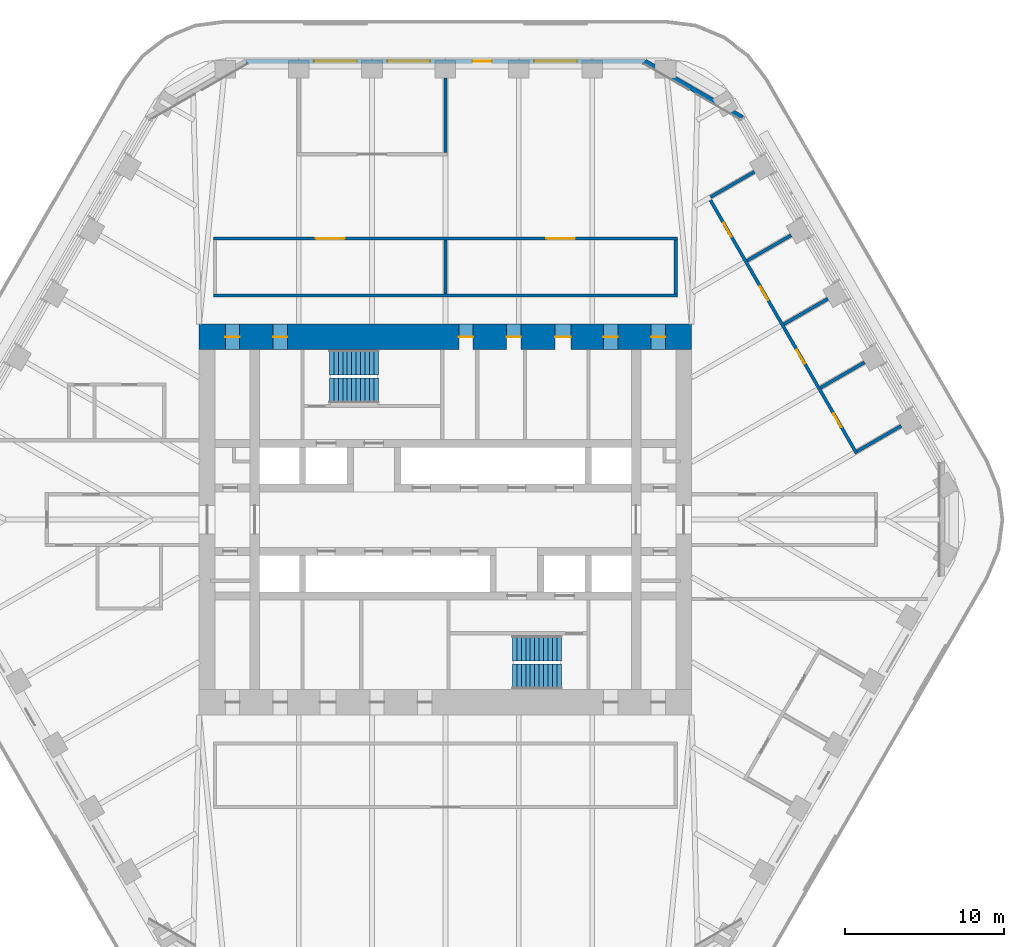
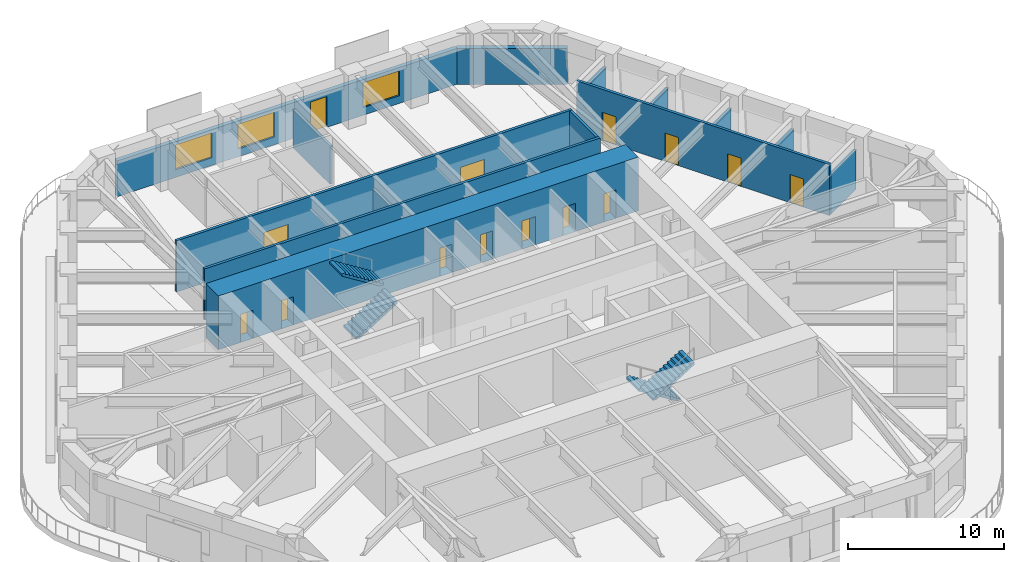
# One storey, part 17 of 20: 14 doors, 14 walls, 4 stair flights, 3 windows, 17 openings, 2 elements without a shape of their own.
"""IFC4 building model written with IfcOpenShell, lengths in metres."""

import ifcopenshell
import ifcopenshell.guid

model = None  # the IFC model being written
_history = None  # IfcOwnerHistory: only IFC2X3 demands one
_inside = {}  # id of a spatial element -> (the spatial element, [elements in it])
_under = {}  # id of a project, library or spatial element -> (it, [spatial elements below it])
_declared = {}  # id of a project -> (the project, [libraries it declares])
_typed = {}  # id of a type object -> (the type object, [elements of that type])
_made_of = {}  # id of a material, layer set ... -> (it, [elements and type objects made of it])


def new_model(schema):
    """Start an empty IFC model of exactly this schema.

    Asked for "IFC4X3", IfcOpenShell would pick the latest addendum, in which some entities
    have other attributes; the version numbers below select the first issue.
    IFC2X3 requires an IfcOwnerHistory on every rooted entity: one is made here for all.
    """
    global model, _history
    if schema == "IFC4X3":
        model = ifcopenshell.file(schema_version=(4, 3, 0, 0))
    else:
        model = ifcopenshell.file(schema=schema)
    _inside.clear()
    _under.clear()
    _declared.clear()
    _typed.clear()
    _made_of.clear()
    _history = None
    if model.schema == "IFC2X3":
        org = make("IfcOrganization", Name="unknown")
        user = make(
            "IfcPersonAndOrganization",
            ThePerson=make("IfcPerson", FamilyName="unknown"),
            TheOrganization=org,
        )
        app = make(
            "IfcApplication",
            ApplicationDeveloper=org,
            Version="unknown",
            ApplicationFullName="unknown",
            ApplicationIdentifier="unknown",
        )
        _history = make(
            "IfcOwnerHistory",
            OwningUser=user,
            OwningApplication=app,
            ChangeAction="ADDED",
            CreationDate=0,
        )
    return model


def make(cls, **values):
    """One entity of the class cls with the attributes given. An attribute that is None is left unset."""
    return model.create_entity(
        cls, **{name: value for name, value in values.items() if value is not None}
    )


def rooted(cls, **values):
    """An entity with a GlobalId (a new one), such as an element, a storey or a relation."""
    return make(cls, GlobalId=ifcopenshell.guid.new(), OwnerHistory=_history, **values)


def si_unit(unit_type, name, prefix=None):
    """IfcSIUnit, for example si_unit("LENGTHUNIT", "METRE", prefix="MILLI")."""
    return make("IfcSIUnit", UnitType=unit_type, Prefix=prefix, Name=name)


def assignment(units):
    """IfcUnitAssignment: the units of a project."""
    return None if units is None else make("IfcUnitAssignment", Units=units)


def point(xyz):
    """IfcCartesianPoint."""
    return None if xyz is None else make("IfcCartesianPoint", Coordinates=xyz)


def direction(xyz):
    """IfcDirection."""
    return None if xyz is None else make("IfcDirection", DirectionRatios=xyz)


def frame(location, z_axis=None, x_axis=None):
    """IfcAxis2Placement3D, a coordinate frame: its origin and axes. An axis left out is left unset."""
    return make(
        "IfcAxis2Placement3D",
        Location=point(location),
        Axis=direction(z_axis),
        RefDirection=direction(x_axis),
    )


def frame_2d(location, x_axis=None):
    """IfcAxis2Placement2D, a coordinate frame in the plane: its origin and x axis."""
    return make(
        "IfcAxis2Placement2D", Location=point(location), RefDirection=direction(x_axis)
    )


def origin():
    """The frame at (0, 0, 0) with its axes left unset."""
    return frame((0.0, 0.0, 0.0))


def place(relative_to, where):
    """IfcLocalPlacement: puts the frame where relative to a parent placement (None: the world)."""
    return make(
        "IfcLocalPlacement", PlacementRelTo=relative_to, RelativePlacement=where
    )


def context(
    kind, dimensions, precision=None, world=None, true_north=None, identifier=None
):
    """IfcGeometricRepresentationContext, for example the 3D "Model" context."""
    return make(
        "IfcGeometricRepresentationContext",
        ContextIdentifier=identifier,
        ContextType=kind,
        CoordinateSpaceDimension=dimensions,
        Precision=precision,
        WorldCoordinateSystem=world,
        TrueNorth=true_north,
    )


def subcontext(parent, identifier, kind, view, scale=None):
    """IfcGeometricRepresentationSubContext, for example "Body" below "Model"."""
    return make(
        "IfcGeometricRepresentationSubContext",
        ContextIdentifier=identifier,
        ContextType=kind,
        ParentContext=parent,
        TargetScale=scale,
        TargetView=view,
    )


def project(units=None, contexts=None):
    """IfcProject with its units and contexts."""
    return rooted(
        "IfcProject",
        Name="project",
        RepresentationContexts=contexts,
        UnitsInContext=assignment(units),
    )


def spatial(cls, under=None, at=None, **own):
    """A site, building, storey or space (cls), placed at a placement, below another one or the project."""
    s = rooted(cls, ObjectPlacement=at, **own)
    if under is not None:
        _under.setdefault(under.id(), (under, []))[1].append(s)
    return s


def polyline(points):
    """IfcPolyline through the points."""
    return make("IfcPolyline", Points=[point(p) for p in points])


def profile(cls, at=None, kind="AREA", **sizes):
    """A parametric profile (cls). Its sizes go by their IFC names, for example OverallWidth=200.0."""
    return make(cls, ProfileType=kind, Position=at, **sizes)


def rectangle(**sizes):
    """IfcRectangleProfileDef."""
    return profile("IfcRectangleProfileDef", **sizes)


def outline(outer, holes=None, kind="AREA"):
    """IfcArbitraryClosedProfileDef: a profile drawn as a closed curve; with holes, ...WithVoids."""
    if holes is None:
        return make("IfcArbitraryClosedProfileDef", ProfileType=kind, OuterCurve=outer)
    return make(
        "IfcArbitraryProfileDefWithVoids",
        ProfileType=kind,
        OuterCurve=outer,
        InnerCurves=holes,
    )


def extrude(swept, where, along, depth):
    """IfcExtrudedAreaSolid: the profile swept, set in the frame where, extruded along a direction by depth."""
    return make(
        "IfcExtrudedAreaSolid",
        SweptArea=swept,
        Position=where,
        ExtrudedDirection=direction(along),
        Depth=depth,
    )


def shape(context_of_items, identifier, shape_type, items):
    """IfcShapeRepresentation: the items that make up one representation, for example the "Body"."""
    return make(
        "IfcShapeRepresentation",
        ContextOfItems=context_of_items,
        RepresentationIdentifier=identifier,
        RepresentationType=shape_type,
        Items=items,
    )


def material(Name=None, Category=None):
    """IfcMaterial."""
    return make("IfcMaterial", Name=Name, Category=Category)


def layer(
    of_material, thickness, ventilated=None, Name=None, Category=None, Priority=None
):
    """IfcMaterialLayer: one layer of a wall or slab, of a material (None: an air gap)."""
    return make(
        "IfcMaterialLayer",
        Material=of_material,
        LayerThickness=thickness,
        IsVentilated=ventilated,
        Name=Name,
        Category=Category,
        Priority=Priority,
    )


def layer_set(layers, Name=None):
    """IfcMaterialLayerSet."""
    return make("IfcMaterialLayerSet", MaterialLayers=layers, LayerSetName=Name)


def made_of(thing, what):
    """Note that an element or type object is made of a material, layer set ...; save() writes the relation."""
    if what is not None:
        _made_of.setdefault(what.id(), (what, []))[1].append(thing)
    return thing


def type_object(cls, material=None, **own):
    """A type object (cls), such as IfcWallType, which elements share."""
    return made_of(rooted(cls, **own), material)


def element(
    cls,
    number,
    at=None,
    inside=None,
    cuts=None,
    type_object=None,
    material=None,
    context=None,
    identifier="Body",
    shape_type=None,
    held_by="IfcProductDefinitionShape",
    body=None,
    shapes=None,
    **own,
):
    """One element of the class cls, such as IfcWall. Its Tag is "e" and its number.

    at: its placement. inside: the storey or other place that contains it. cuts: it is an
    opening in that element (IfcRelVoidsElement). A single representation is given by context,
    identifier, shape_type and body (its items); several are given by shapes. held_by: the class
    of the entity that holds the representations. save() writes the other relations.
    """
    e = rooted(cls, Tag="e%d" % number, ObjectPlacement=at, **own)
    if body is not None:
        shapes = [shape(context, identifier, shape_type, body)]
    if shapes is not None:
        e.Representation = make(held_by, Representations=shapes)
    if inside is not None:
        _inside.setdefault(inside.id(), (inside, []))[1].append(e)
    if cuts is not None:
        rooted(
            "IfcRelVoidsElement", RelatingBuildingElement=cuts, RelatedOpeningElement=e
        )
    if type_object is not None:
        _typed.setdefault(type_object.id(), (type_object, []))[1].append(e)
    return made_of(e, material)


def fill(opening, filler):
    """IfcRelFillsElement: the door or window that sits in an opening."""
    return rooted(
        "IfcRelFillsElement",
        RelatingOpeningElement=opening,
        RelatedBuildingElement=filler,
    )


def aggregate(whole, parts):
    """IfcRelAggregates: a whole, such as a stair, and the parts it consists of."""
    return rooted("IfcRelAggregates", RelatingObject=whole, RelatedObjects=parts)


def save(model, path):
    """Write the relations noted so far, then the file.

    IfcRelAggregates (storeys below a building ...), IfcRelContainedInSpatialStructure (elements
    in a storey), IfcRelDefinesByType, IfcRelAssociatesMaterial and IfcRelDeclares: one each for
    every whole, place, type object, material and project.
    """
    for whole, parts in _under.values():
        aggregate(whole, parts)
    for where, things in _inside.values():
        rooted(
            "IfcRelContainedInSpatialStructure",
            RelatedElements=things,
            RelatingStructure=where,
        )
    for kind, things in _typed.values():
        rooted("IfcRelDefinesByType", RelatedObjects=things, RelatingType=kind)
    for what, things in _made_of.values():
        rooted("IfcRelAssociatesMaterial", RelatedObjects=things, RelatingMaterial=what)
    for by, libraries in _declared.values():
        rooted("IfcRelDeclares", RelatingContext=by, RelatedDefinitions=libraries)
    model.write(path)


model = new_model("IFC4")

# Units and contexts
model_context = context("Model", 3, precision=1e-05, world=origin(), true_north=direction((0.0, 1.0)))
body_context = subcontext(model_context, "Body", "Model", "MODEL_VIEW")
ifc_project = project(units=[si_unit("LENGTHUNIT", "METRE"), si_unit("AREAUNIT", "SQUARE_METRE"), si_unit("VOLUMEUNIT", "CUBIC_METRE"), si_unit("PLANEANGLEUNIT", "RADIAN"), si_unit("MASSUNIT", "GRAM", prefix="KILO")], contexts=[model_context])

# Site, building, storey
site_placement = place(None, origin())
site = spatial("IfcSite", under=ifc_project, at=site_placement, CompositionType="ELEMENT")
building_placement = place(site_placement, origin())
building = spatial("IfcBuilding", under=site, at=building_placement, Name="Tarfa Lantern Tower", CompositionType="ELEMENT")
storey_placement = place(building_placement, frame((0.0, 0.0, 240.699951171875)))
storey = spatial("IfcBuildingStorey", under=building, at=storey_placement, Name="L54", CompositionType="ELEMENT", Elevation=240.699951171875)

# Wall
ifc_material_1 = material(Name="Limestone cladding on blockwork", Category="masonry")
ifc_layer_1 = layer(ifc_material_1, 0.300048828125)
ifc_layer_set_1 = layer_set([ifc_layer_1], Name="EW1 STONE-CLAD WALL 300")
wall_type_1 = type_object("IfcWallType", Name="EW1 STONE-CLAD WALL 300", PredefinedType="SOLIDWALL", material=ifc_layer_set_1)
wall_1_placement = place(storey_placement, frame((18.70654296875, 25.299072265625, 0.0), z_axis=(0.0, 0.0, 1.0), x_axis=(-0.866010973379, 0.500024993363, 0.0)))
element("IfcWall", 1, at=wall_1_placement, inside=storey, type_object=wall_type_1, Name="Garden wall NE-N", PredefinedType="SOLIDWALL", context=body_context, shape_type="SweptSolid", body=[
    extrude(rectangle(XDim=7.101806640625, YDim=0.300048828125, at=frame_2d((3.55078125, 0.0))), origin(), (0.0, 0.0, 1.0), 2.800048828125),
])

# Wall, openings, door, windows
wall_2_placement = place(storey_placement, frame((12.556396484375, 28.85009765625, 0.0), z_axis=(0.0, 0.0, 1.0), x_axis=(-1.0, 0.0, 0.0)))
wall_2 = element("IfcWall", 2, at=wall_2_placement, inside=storey, type_object=wall_type_1, Name="Stone wall N", PredefinedType="SOLIDWALL", context=body_context, shape_type="SweptSolid", body=[
    extrude(rectangle(XDim=25.11279296875, YDim=0.300048828125, at=frame_2d((12.556396484375, 0.0))), origin(), (0.0, 0.0, 1.0), 2.800048828125),
])
opening_1_placement = place(wall_2_placement, frame((4.2783203125, 0.0, 0.60009765625)))
opening_1 = element("IfcOpeningElement", 3, at=opening_1_placement, cuts=wall_2, Name="Opening W14", PredefinedType="OPENING", context=body_context, shape_type="SweptSolid", body=[
    extrude(rectangle(XDim=2.699951171875, YDim=1.949951171875, at=frame_2d((1.35009765625, 0.97509765625))), frame((0.0, 0.159912109375, 0.0), z_axis=(0.0, -1.0, 0.0), x_axis=(1.0, 0.0, 0.0)), (0.0, 0.0, 1.0), 0.320068359375),
])
opening_2_placement = place(wall_2_placement, frame((9.64697265625, 0.0, 0.0)))
opening_2 = element("IfcOpeningElement", 4, at=opening_2_placement, cuts=wall_2, Name="Opening D47", PredefinedType="OPENING", context=body_context, shape_type="SweptSolid", body=[
    extrude(rectangle(XDim=1.199951171875, YDim=2.39990234375, at=frame_2d((0.60009765625, 1.199951171875))), frame((0.0, 0.159912109375, 0.0), z_axis=(0.0, -1.0, 0.0), x_axis=(1.0, 0.0, 0.0)), (0.0, 0.0, 1.0), 0.320068359375),
])
opening_3_placement = place(wall_2_placement, frame((13.515869140625, 0.0, 0.60009765625)))
opening_3 = element("IfcOpeningElement", 5, at=opening_3_placement, cuts=wall_2, Name="Opening W14", PredefinedType="OPENING", context=body_context, shape_type="SweptSolid", body=[
    extrude(rectangle(XDim=2.699951171875, YDim=1.949951171875, at=frame_2d((1.35009765625, 0.97509765625))), frame((0.0, 0.159912109375, 0.0), z_axis=(0.0, -1.0, 0.0), x_axis=(1.0, 0.0, 0.0)), (0.0, 0.0, 1.0), 0.320068359375),
])
opening_4_placement = place(wall_2_placement, frame((18.134521484375, 0.0, 0.60009765625)))
opening_4 = element("IfcOpeningElement", 6, at=opening_4_placement, cuts=wall_2, Name="Opening W14", PredefinedType="OPENING", context=body_context, shape_type="SweptSolid", body=[
    extrude(rectangle(XDim=2.699951171875, YDim=1.949951171875, at=frame_2d((1.35009765625, 0.97509765625))), frame((0.0, 0.159912109375, 0.0), z_axis=(0.0, -1.0, 0.0), x_axis=(1.0, 0.0, 0.0)), (0.0, 0.0, 1.0), 0.320068359375),
])
ifc_material_2 = material(Name="Aluminium framed glazed door", Category="aluminium")
door_type_1 = type_object("IfcDoorType", Name="BE3 BALCONY DOOR 1200x2400", OperationType="SINGLE_SWING_RIGHT", PredefinedType="DOOR", material=ifc_material_2)
door_1_placement = place(opening_2_placement, origin())
door_1 = element("IfcDoor", 7, at=door_1_placement, inside=storey, type_object=door_type_1, Name="Balcony door N", OperationType="SINGLE_SWING_LEFT", OverallHeight=2.39990234375, OverallWidth=1.199951171875, PredefinedType="DOOR", context=body_context, shape_type="SweptSolid", body=[
    extrude(rectangle(XDim=1.199951171875, YDim=2.39990234375, at=frame_2d((0.60009765625, 1.199951171875))), frame((0.0, 0.02490234375, 0.0), z_axis=(0.0, -1.0, 0.0), x_axis=(1.0, 0.0, 0.0)), (0.0, 0.0, 1.0), 0.050048828125),
])
fill(opening_2, door_1)
ifc_material_3 = material(Name="Aluminium frame, double glazed", Category="aluminium")
window_type = type_object("IfcWindowType", Name="W14 FULL-HEIGHT GLAZING 2700x1950", PartitioningType="SINGLE_PANEL", PredefinedType="WINDOW", material=ifc_material_3)
window_1_placement = place(opening_1_placement, origin())
window_1 = element("IfcWindow", 8, at=window_1_placement, inside=storey, type_object=window_type, Name="Window N 2", OverallHeight=1.949951171875, OverallWidth=2.699951171875, PartitioningType="SINGLE_PANEL", PredefinedType="WINDOW", context=body_context, shape_type="SweptSolid", body=[
    extrude(rectangle(XDim=2.699951171875, YDim=1.949951171875, at=frame_2d((1.35009765625, 0.97509765625))), frame((0.0, 0.030029296875, 0.0), z_axis=(0.0, -1.0, 0.0), x_axis=(1.0, 0.0, 0.0)), (0.0, 0.0, 1.0), 0.06005859375),
])
fill(opening_1, window_1)
window_2_placement = place(opening_3_placement, origin())
window_2 = element("IfcWindow", 9, at=window_2_placement, inside=storey, type_object=window_type, Name="Window N 4", OverallHeight=1.949951171875, OverallWidth=2.699951171875, PartitioningType="SINGLE_PANEL", PredefinedType="WINDOW", context=body_context, shape_type="SweptSolid", body=[
    extrude(rectangle(XDim=2.699951171875, YDim=1.949951171875, at=frame_2d((1.35009765625, 0.97509765625))), frame((0.0, 0.030029296875, 0.0), z_axis=(0.0, -1.0, 0.0), x_axis=(1.0, 0.0, 0.0)), (0.0, 0.0, 1.0), 0.06005859375),
])
fill(opening_3, window_2)
window_3_placement = place(opening_4_placement, origin())
window_3 = element("IfcWindow", 10, at=window_3_placement, inside=storey, type_object=window_type, Name="Window N 5", OverallHeight=1.949951171875, OverallWidth=2.699951171875, PartitioningType="SINGLE_PANEL", PredefinedType="WINDOW", context=body_context, shape_type="SweptSolid", body=[
    extrude(rectangle(XDim=2.699951171875, YDim=1.949951171875, at=frame_2d((1.35009765625, 0.97509765625))), frame((0.0, 0.030029296875, 0.0), z_axis=(0.0, -1.0, 0.0), x_axis=(1.0, 0.0, 0.0)), (0.0, 0.0, 1.0), 0.06005859375),
])
fill(opening_4, window_3)

# Wall
ifc_material_4 = material(Name="Gypsum board on steel studs", Category="steel")
ifc_layer_2 = layer(ifc_material_4, 0.2099609375)
ifc_layer_set_2 = layer_set([ifc_layer_2], Name="IW2 ACOUSTIC PARTITION 200")
wall_type_2 = type_object("IfcWallType", Name="IW2 ACOUSTIC PARTITION 200", PredefinedType="PARTITIONING", material=ifc_layer_set_2)
wall_3_placement = place(storey_placement, frame((-14.60009765625, 14.10009765625, 0.0), z_axis=(0.0, 0.0, 1.0), x_axis=(1.0, 0.0, 0.0)))
element("IfcWall", 11, at=wall_3_placement, inside=storey, type_object=wall_type_2, Name="Partition", PredefinedType="PARTITIONING", context=body_context, shape_type="SweptSolid", body=[
    extrude(rectangle(XDim=29.2001953125, YDim=0.199951171875, at=frame_2d((14.60009765625, 0.0))), origin(), (0.0, 0.0, 1.0), 4.0),
])

# Wall, openings, doors
wall_4_placement = place(storey_placement, frame((-14.60009765625, 17.699951171875, 0.0), z_axis=(0.0, 0.0, 1.0), x_axis=(1.0, 0.0, 0.0)))
wall_4 = element("IfcWall", 12, at=wall_4_placement, inside=storey, type_object=wall_type_2, Name="Partition", PredefinedType="PARTITIONING", context=body_context, shape_type="SweptSolid", body=[
    extrude(rectangle(XDim=29.2001953125, YDim=0.199951171875, at=frame_2d((14.60009765625, 0.0))), origin(), (0.0, 0.0, 1.0), 4.0),
])
opening_5_placement = place(wall_4_placement, frame((6.449951171875, 0.0, 0.0)))
opening_5 = element("IfcOpeningElement", 13, at=opening_5_placement, cuts=wall_4, Name="Opening D35", PredefinedType="OPENING", context=body_context, shape_type="SweptSolid", body=[
    extrude(rectangle(XDim=1.800048828125, YDim=2.39990234375, at=frame_2d((0.89990234375, 1.199951171875))), frame((0.0, 0.10986328125, 0.0), z_axis=(0.0, -1.0, 0.0), x_axis=(1.0, 0.0, 0.0)), (0.0, 0.0, 1.0), 0.219970703125),
])
opening_6_placement = place(wall_4_placement, frame((20.949951171875, 0.0, 0.0)))
opening_6 = element("IfcOpeningElement", 14, at=opening_6_placement, cuts=wall_4, Name="Opening D36", PredefinedType="OPENING", context=body_context, shape_type="SweptSolid", body=[
    extrude(rectangle(XDim=1.800048828125, YDim=2.39990234375, at=frame_2d((0.89990234375, 1.199951171875))), frame((0.0, 0.10986328125, 0.0), z_axis=(0.0, -1.0, 0.0), x_axis=(1.0, 0.0, 0.0)), (0.0, 0.0, 1.0), 0.219970703125),
])
ifc_material_5 = material(Name="Timber door", Category="wood")
door_type_2 = type_object("IfcDoorType", Name="DR2 ROOM DOOR 1800x2400", OperationType="DOUBLE_DOOR_SINGLE_SWING", PredefinedType="DOOR", material=ifc_material_5)
door_2_placement = place(opening_5_placement, frame((1.800048828125, 0.0, 0.0), z_axis=(0.0, 0.0, 1.0), x_axis=(-1.0, 0.0, 0.0)))
door_2 = element("IfcDoor", 15, at=door_2_placement, inside=storey, type_object=door_type_2, Name="Interview room door", OperationType="DOUBLE_DOOR_SINGLE_SWING", OverallHeight=2.39990234375, OverallWidth=1.800048828125, PredefinedType="DOOR", context=body_context, shape_type="SweptSolid", body=[
    extrude(rectangle(XDim=1.800048828125, YDim=2.39990234375, at=frame_2d((0.89990234375, 1.199951171875))), frame((0.0, 0.02490234375, 0.0), z_axis=(0.0, -1.0, 0.0), x_axis=(1.0, 0.0, 0.0)), (0.0, 0.0, 1.0), 0.050048828125),
])
fill(opening_5, door_2)
door_3_placement = place(opening_6_placement, frame((1.800048828125, 0.0, 0.0), z_axis=(0.0, 0.0, 1.0), x_axis=(-1.0, 0.0, 0.0)))
door_3 = element("IfcDoor", 16, at=door_3_placement, inside=storey, type_object=door_type_2, Name="Interview room door", OperationType="DOUBLE_DOOR_SINGLE_SWING", OverallHeight=2.39990234375, OverallWidth=1.800048828125, PredefinedType="DOOR", context=body_context, shape_type="SweptSolid", body=[
    extrude(rectangle(XDim=1.800048828125, YDim=2.39990234375, at=frame_2d((0.89990234375, 1.199951171875))), frame((0.0, 0.02490234375, 0.0), z_axis=(0.0, -1.0, 0.0), x_axis=(1.0, 0.0, 0.0)), (0.0, 0.0, 1.0), 0.050048828125),
])
fill(opening_6, door_3)

# Walls
wall_5_placement = place(storey_placement, frame((0.0, 14.199951171875, 0.0), z_axis=(0.0, 0.0, 1.0), x_axis=(0.0, 1.0, 0.0)))
element("IfcWall", 17, at=wall_5_placement, inside=storey, type_object=wall_type_2, Name="Partition", PredefinedType="PARTITIONING", context=body_context, shape_type="SweptSolid", body=[
    extrude(rectangle(XDim=3.400146484375, YDim=0.199951171875, at=frame_2d((1.7001953125, 0.0))), origin(), (0.0, 0.0, 1.0), 2.991943359375),
])
wall_6_placement = place(storey_placement, frame((14.5, 14.199951171875, 0.0), z_axis=(0.0, 0.0, 1.0), x_axis=(0.0, 1.0, 0.0)))
element("IfcWall", 18, at=wall_6_placement, inside=storey, type_object=wall_type_2, Name="Partition", PredefinedType="PARTITIONING", context=body_context, shape_type="SweptSolid", body=[
    extrude(rectangle(XDim=3.400146484375, YDim=0.199951171875, at=frame_2d((1.7001953125, 0.0))), origin(), (0.0, 0.0, 1.0), 4.0),
])
wall_7_placement = place(storey_placement, frame((0.0, 23.10009765625, 0.0), z_axis=(0.0, 0.0, 1.0), x_axis=(0.0, 1.0, 0.0)))
element("IfcWall", 19, at=wall_7_placement, inside=storey, type_object=wall_type_2, Name="Partition", PredefinedType="PARTITIONING", context=body_context, shape_type="SweptSolid", body=[
    extrude(rectangle(XDim=4.699951171875, YDim=0.199951171875, at=frame_2d((2.35009765625, 0.0))), origin(), (0.0, 0.0, 1.0), 2.991943359375),
])

# Wall, openings, doors
wall_8_placement = place(storey_placement, frame((25.886474609375, 4.163330078125, 0.0), z_axis=(0.0, 0.0, 1.0), x_axis=(-0.499998569178, 0.866026229868, 0.0)))
wall_8 = element("IfcWall", 20, at=wall_8_placement, inside=storey, type_object=wall_type_2, Name="Partition", PredefinedType="PARTITIONING", context=body_context, shape_type="SweptSolid", body=[
    extrude(rectangle(XDim=18.67529296875, YDim=0.199951171875, at=frame_2d((9.337646484375, 0.0))), origin(), (0.0, 0.0, 1.0), 4.0),
])
opening_7_placement = place(wall_8_placement, frame((1.909423828125, 0.0, 0.0)))
opening_7 = element("IfcOpeningElement", 21, at=opening_7_placement, cuts=wall_8, Name="Opening D28", PredefinedType="OPENING", context=body_context, shape_type="SweptSolid", body=[
    extrude(rectangle(XDim=1.0, YDim=2.199951171875, at=frame_2d((0.5, 1.10009765625))), frame((0.0, 0.10986328125, 0.0), z_axis=(0.0, -1.0, 0.0), x_axis=(1.0, 0.0, 0.0)), (0.0, 0.0, 1.0), 0.219970703125),
])
opening_8_placement = place(wall_8_placement, frame((6.5283203125, 0.0, 0.0)))
opening_8 = element("IfcOpeningElement", 22, at=opening_8_placement, cuts=wall_8, Name="Opening D29", PredefinedType="OPENING", context=body_context, shape_type="SweptSolid", body=[
    extrude(rectangle(XDim=1.0, YDim=2.199951171875, at=frame_2d((0.5, 1.10009765625))), frame((0.0, 0.10986328125, 0.0), z_axis=(0.0, -1.0, 0.0), x_axis=(1.0, 0.0, 0.0)), (0.0, 0.0, 1.0), 0.219970703125),
])
opening_9_placement = place(wall_8_placement, frame((11.14697265625, 0.0, 0.0)))
opening_9 = element("IfcOpeningElement", 23, at=opening_9_placement, cuts=wall_8, Name="Opening D30", PredefinedType="OPENING", context=body_context, shape_type="SweptSolid", body=[
    extrude(rectangle(XDim=1.0, YDim=2.199951171875, at=frame_2d((0.5, 1.10009765625))), frame((0.0, 0.10986328125, 0.0), z_axis=(0.0, -1.0, 0.0), x_axis=(1.0, 0.0, 0.0)), (0.0, 0.0, 1.0), 0.219970703125),
])
opening_10_placement = place(wall_8_placement, frame((15.765869140625, 0.0, 0.0)))
opening_10 = element("IfcOpeningElement", 24, at=opening_10_placement, cuts=wall_8, Name="Opening D31", PredefinedType="OPENING", context=body_context, shape_type="SweptSolid", body=[
    extrude(rectangle(XDim=1.0, YDim=2.199951171875, at=frame_2d((0.5, 1.10009765625))), frame((0.0, 0.10986328125, 0.0), z_axis=(0.0, -1.0, 0.0), x_axis=(1.0, 0.0, 0.0)), (0.0, 0.0, 1.0), 0.219970703125),
])
door_type_3 = type_object("IfcDoorType", Name="DR1 ROOM DOOR 1000x2200", OperationType="SINGLE_SWING_LEFT", PredefinedType="DOOR", material=ifc_material_5)
door_4_placement = place(opening_7_placement, frame((1.0, 0.0, 0.0), z_axis=(0.0, 0.0, 1.0), x_axis=(-1.0, 0.0, 0.0)))
door_4 = element("IfcDoor", 25, at=door_4_placement, inside=storey, type_object=door_type_3, Name="Office door", OperationType="SINGLE_SWING_LEFT", OverallHeight=2.199951171875, OverallWidth=1.0, PredefinedType="DOOR", context=body_context, shape_type="SweptSolid", body=[
    extrude(rectangle(XDim=1.0, YDim=2.199951171875, at=frame_2d((0.5, 1.10009765625))), frame((0.0, 0.02490234375, 0.0), z_axis=(0.0, -1.0, 0.0), x_axis=(1.0, 0.0, 0.0)), (0.0, 0.0, 1.0), 0.050048828125),
])
fill(opening_7, door_4)
door_5_placement = place(opening_8_placement, frame((1.0, 0.0, 0.0), z_axis=(0.0, 0.0, 1.0), x_axis=(-1.0, 0.0, 0.0)))
door_5 = element("IfcDoor", 26, at=door_5_placement, inside=storey, type_object=door_type_3, Name="Office door", OperationType="SINGLE_SWING_LEFT", OverallHeight=2.199951171875, OverallWidth=1.0, PredefinedType="DOOR", context=body_context, shape_type="SweptSolid", body=[
    extrude(rectangle(XDim=1.0, YDim=2.199951171875, at=frame_2d((0.5, 1.10009765625))), frame((0.0, 0.02490234375, 0.0), z_axis=(0.0, -1.0, 0.0), x_axis=(1.0, 0.0, 0.0)), (0.0, 0.0, 1.0), 0.050048828125),
])
fill(opening_8, door_5)
door_6_placement = place(opening_9_placement, frame((1.0, 0.0, 0.0), z_axis=(0.0, 0.0, 1.0), x_axis=(-1.0, 0.0, 0.0)))
door_6 = element("IfcDoor", 27, at=door_6_placement, inside=storey, type_object=door_type_3, Name="Office door", OperationType="SINGLE_SWING_RIGHT", OverallHeight=2.199951171875, OverallWidth=1.0, PredefinedType="DOOR", context=body_context, shape_type="SweptSolid", body=[
    extrude(rectangle(XDim=1.0, YDim=2.199951171875, at=frame_2d((0.5, 1.10009765625))), frame((0.0, 0.02490234375, 0.0), z_axis=(0.0, -1.0, 0.0), x_axis=(1.0, 0.0, 0.0)), (0.0, 0.0, 1.0), 0.050048828125),
])
fill(opening_9, door_6)
door_7_placement = place(opening_10_placement, frame((1.0, 0.0, 0.0), z_axis=(0.0, 0.0, 1.0), x_axis=(-1.0, 0.0, 0.0)))
door_7 = element("IfcDoor", 28, at=door_7_placement, inside=storey, type_object=door_type_3, Name="Office door", OperationType="SINGLE_SWING_RIGHT", OverallHeight=2.199951171875, OverallWidth=1.0, PredefinedType="DOOR", context=body_context, shape_type="SweptSolid", body=[
    extrude(rectangle(XDim=1.0, YDim=2.199951171875, at=frame_2d((0.5, 1.10009765625))), frame((0.0, 0.02490234375, 0.0), z_axis=(0.0, -1.0, 0.0), x_axis=(1.0, 0.0, 0.0)), (0.0, 0.0, 1.0), 0.050048828125),
])
fill(opening_10, door_7)

# Walls
wall_9_placement = place(storey_placement, frame((25.923095703125, 4.300048828125, 0.0), z_axis=(0.0, 0.0, 1.0), x_axis=(0.866042017984, 0.499971222258, 0.0)))
element("IfcWall", 29, at=wall_9_placement, inside=storey, type_object=wall_type_2, Name="Partition", PredefinedType="PARTITIONING", context=body_context, shape_type="SweptSolid", body=[
    extrude(rectangle(XDim=3.199951171875, YDim=0.199951171875, at=frame_2d((1.60009765625, 0.0))), origin(), (0.0, 0.0, 1.0), 3.08154296875),
])
wall_10_placement = place(storey_placement, frame((23.613525390625, 8.300048828125, 0.0), z_axis=(0.0, 0.0, 1.0), x_axis=(0.866061088033, 0.499938187974, 0.0)))
element("IfcWall", 30, at=wall_10_placement, inside=storey, type_object=wall_type_2, Name="Partition", PredefinedType="PARTITIONING", context=body_context, shape_type="SweptSolid", body=[
    extrude(rectangle(XDim=3.2001953125, YDim=0.199951171875, at=frame_2d((1.60009765625, 0.0))), origin(), (0.0, 0.0, 1.0), 3.08154296875),
])
for number, where, z_axis, x_axis, name in (
    (31, (21.30419921875, 12.300048828125, 0.0), (0.0, 0.0, 1.0), (0.866042017984, 0.499971222258, 0.0), "Partition"),
    (32, (18.994873046875, 16.300048828125, 0.0), (0.0, 0.0, 1.0), (0.866042017984, 0.499971222258, 0.0), "Partition"),
):
    element("IfcWall", number, at=place(storey_placement, frame(where, z_axis=z_axis, x_axis=x_axis)), inside=storey, type_object=wall_type_2, Name=name, PredefinedType="PARTITIONING", context=body_context, shape_type="SweptSolid", body=[
        extrude(rectangle(XDim=3.199951171875, YDim=0.199951171875, at=frame_2d((1.60009765625, 0.0))), origin(), (0.0, 0.0, 1.0), 3.08154296875),
    ])
wall_11_placement = place(storey_placement, frame((16.685302734375, 20.300048828125, 0.0), z_axis=(0.0, 0.0, 1.0), x_axis=(0.866061088033, 0.499938187974, 0.0)))
element("IfcWall", 33, at=wall_11_placement, inside=storey, type_object=wall_type_2, Name="Partition", PredefinedType="PARTITIONING", context=body_context, shape_type="SweptSolid", body=[
    extrude(rectangle(XDim=3.2001953125, YDim=0.199951171875, at=frame_2d((1.60009765625, 0.0))), origin(), (0.0, 0.0, 1.0), 3.08154296875),
])

# Wall, openings, doors
ifc_material_6 = material(Name="Concrete C80/95", Category="concrete")
ifc_layer_3 = layer(ifc_material_6, 1.60009765625)
ifc_layer_set_3 = layer_set([ifc_layer_3], Name="SW7 CORE WALL 1600")
wall_type_3 = type_object("IfcWallType", Name="SW7 CORE WALL 1600", PredefinedType="SHEAR", material=ifc_layer_set_3)
wall_12_placement = place(storey_placement, frame((-15.5, 11.5, 0.0), z_axis=(0.0, 0.0, 1.0), x_axis=(1.0, 0.0, 0.0)))
wall_12 = element("IfcWall", 34, at=wall_12_placement, inside=storey, type_object=wall_type_3, Name="Core wall N", PredefinedType="SHEAR", context=body_context, shape_type="SweptSolid", body=[
    extrude(rectangle(XDim=31.0, YDim=1.60009765625, at=frame_2d((15.5, 0.0))), origin(), (0.0, 0.0, 1.0), 4.199951171875),
])
opening_11_placement = place(wall_12_placement, frame((16.35009765625, 0.0, 0.0)))
opening_11 = element("IfcOpeningElement", 35, at=opening_11_placement, cuts=wall_12, Name="Opening D17", PredefinedType="OPENING", context=body_context, shape_type="SweptSolid", body=[
    extrude(rectangle(XDim=0.89990234375, YDim=2.199951171875, at=frame_2d((0.449951171875, 1.10009765625))), frame((0.0, 0.81005859375, 0.0), z_axis=(0.0, -1.0, 0.0), x_axis=(1.0, 0.0, 0.0)), (0.0, 0.0, 1.0), 1.6201171875),
])
opening_12_placement = place(wall_12_placement, frame((19.35009765625, 0.0, 0.0)))
opening_12 = element("IfcOpeningElement", 36, at=opening_12_placement, cuts=wall_12, Name="Opening D19", PredefinedType="OPENING", context=body_context, shape_type="SweptSolid", body=[
    extrude(rectangle(XDim=0.89990234375, YDim=2.199951171875, at=frame_2d((0.449951171875, 1.10009765625))), frame((0.0, 0.81005859375, 0.0), z_axis=(0.0, -1.0, 0.0), x_axis=(1.0, 0.0, 0.0)), (0.0, 0.0, 1.0), 1.6201171875),
])
opening_13_placement = place(wall_12_placement, frame((22.39990234375, 0.0, 0.0)))
opening_13 = element("IfcOpeningElement", 37, at=opening_13_placement, cuts=wall_12, Name="Opening D21", PredefinedType="OPENING", context=body_context, shape_type="SweptSolid", body=[
    extrude(rectangle(XDim=1.0, YDim=2.199951171875, at=frame_2d((0.5, 1.10009765625))), frame((0.0, 0.81005859375, 0.0), z_axis=(0.0, -1.0, 0.0), x_axis=(1.0, 0.0, 0.0)), (0.0, 0.0, 1.0), 1.6201171875),
])
opening_14_placement = place(wall_12_placement, frame((1.64990234375, 0.0, 0.0)))
opening_14 = element("IfcOpeningElement", 38, at=opening_14_placement, cuts=wall_12, Name="Opening D07", PredefinedType="OPENING", context=body_context, shape_type="SweptSolid", body=[
    extrude(rectangle(XDim=0.89990234375, YDim=2.199951171875, at=frame_2d((0.449951171875, 1.10009765625))), frame((0.0, 0.81005859375, 0.0), z_axis=(0.0, -1.0, 0.0), x_axis=(1.0, 0.0, 0.0)), (0.0, 0.0, 1.0), 1.6201171875),
])
opening_15_placement = place(wall_12_placement, frame((4.64990234375, 0.0, 0.0)))
opening_15 = element("IfcOpeningElement", 39, at=opening_15_placement, cuts=wall_12, Name="Opening D05", PredefinedType="OPENING", context=body_context, shape_type="SweptSolid", body=[
    extrude(rectangle(XDim=0.89990234375, YDim=2.199951171875, at=frame_2d((0.449951171875, 1.10009765625))), frame((0.0, 0.81005859375, 0.0), z_axis=(0.0, -1.0, 0.0), x_axis=(1.0, 0.0, 0.0)), (0.0, 0.0, 1.0), 1.6201171875),
])
opening_16_placement = place(wall_12_placement, frame((25.449951171875, 0.0, 0.0)))
opening_16 = element("IfcOpeningElement", 40, at=opening_16_placement, cuts=wall_12, Name="Opening D03", PredefinedType="OPENING", context=body_context, shape_type="SweptSolid", body=[
    extrude(rectangle(XDim=0.89990234375, YDim=2.199951171875, at=frame_2d((0.449951171875, 1.10009765625))), frame((0.0, 0.81005859375, 0.0), z_axis=(0.0, -1.0, 0.0), x_axis=(1.0, 0.0, 0.0)), (0.0, 0.0, 1.0), 1.6201171875),
])
opening_17_placement = place(wall_12_placement, frame((28.449951171875, 0.0, 0.0)))
opening_17 = element("IfcOpeningElement", 41, at=opening_17_placement, cuts=wall_12, Name="Opening D01", PredefinedType="OPENING", context=body_context, shape_type="SweptSolid", body=[
    extrude(rectangle(XDim=0.89990234375, YDim=2.199951171875, at=frame_2d((0.449951171875, 1.10009765625))), frame((0.0, 0.81005859375, 0.0), z_axis=(0.0, -1.0, 0.0), x_axis=(1.0, 0.0, 0.0)), (0.0, 0.0, 1.0), 1.6201171875),
])
ifc_material_7 = material(Name="Steel fire door", Category="steel")
door_type_4 = type_object("IfcDoorType", Name="DF3 CORE ROOM DOOR 900x2200", OperationType="SINGLE_SWING_LEFT", PredefinedType="DOOR", material=ifc_material_7)
door_8_placement = place(opening_11_placement, frame((0.89990234375, 0.0, 0.0), z_axis=(0.0, 0.0, 1.0), x_axis=(-1.0, 0.0, 0.0)))
door_8 = element("IfcDoor", 42, at=door_8_placement, inside=storey, type_object=door_type_4, Name="Core door", OperationType="SINGLE_SWING_RIGHT", OverallHeight=2.199951171875, OverallWidth=0.89990234375, PredefinedType="DOOR", context=body_context, shape_type="SweptSolid", body=[
    extrude(rectangle(XDim=0.89990234375, YDim=2.199951171875, at=frame_2d((0.449951171875, 1.10009765625))), frame((0.0, 0.02490234375, 0.0), z_axis=(0.0, -1.0, 0.0), x_axis=(1.0, 0.0, 0.0)), (0.0, 0.0, 1.0), 0.050048828125),
])
fill(opening_11, door_8)
door_9_placement = place(opening_12_placement, frame((0.89990234375, 0.0, 0.0), z_axis=(0.0, 0.0, 1.0), x_axis=(-1.0, 0.0, 0.0)))
door_9 = element("IfcDoor", 43, at=door_9_placement, inside=storey, type_object=door_type_4, Name="Core door", OperationType="SINGLE_SWING_RIGHT", OverallHeight=2.199951171875, OverallWidth=0.89990234375, PredefinedType="DOOR", context=body_context, shape_type="SweptSolid", body=[
    extrude(rectangle(XDim=0.89990234375, YDim=2.199951171875, at=frame_2d((0.449951171875, 1.10009765625))), frame((0.0, 0.02490234375, 0.0), z_axis=(0.0, -1.0, 0.0), x_axis=(1.0, 0.0, 0.0)), (0.0, 0.0, 1.0), 0.050048828125),
])
fill(opening_12, door_9)
door_type_5 = type_object("IfcDoorType", Name="DF4 CORE ROOM DOOR 1000x2200", OperationType="SINGLE_SWING_LEFT", PredefinedType="DOOR", material=ifc_material_7)
door_10_placement = place(opening_13_placement, frame((1.0, 0.0, 0.0), z_axis=(0.0, 0.0, 1.0), x_axis=(-1.0, 0.0, 0.0)))
door_10 = element("IfcDoor", 44, at=door_10_placement, inside=storey, type_object=door_type_5, Name="Core door", OperationType="SINGLE_SWING_RIGHT", OverallHeight=2.199951171875, OverallWidth=1.0, PredefinedType="DOOR", context=body_context, shape_type="SweptSolid", body=[
    extrude(rectangle(XDim=1.0, YDim=2.199951171875, at=frame_2d((0.5, 1.10009765625))), frame((0.0, 0.02490234375, 0.0), z_axis=(0.0, -1.0, 0.0), x_axis=(1.0, 0.0, 0.0)), (0.0, 0.0, 1.0), 0.050048828125),
])
fill(opening_13, door_10)
door_type_6 = type_object("IfcDoorType", Name="DF5 RISER DOOR 900x2200", OperationType="SINGLE_SWING_LEFT", PredefinedType="DOOR", material=ifc_material_7)
door_11_placement = place(opening_14_placement, frame((0.89990234375, 0.0, 0.0), z_axis=(0.0, 0.0, 1.0), x_axis=(-1.0, 0.0, 0.0)))
door_11 = element("IfcDoor", 45, at=door_11_placement, inside=storey, type_object=door_type_6, Name="Riser door", OperationType="SINGLE_SWING_LEFT", OverallHeight=2.199951171875, OverallWidth=0.89990234375, PredefinedType="DOOR", context=body_context, shape_type="SweptSolid", body=[
    extrude(rectangle(XDim=0.89990234375, YDim=2.199951171875, at=frame_2d((0.449951171875, 1.10009765625))), frame((0.0, 0.02490234375, 0.0), z_axis=(0.0, -1.0, 0.0), x_axis=(1.0, 0.0, 0.0)), (0.0, 0.0, 1.0), 0.050048828125),
])
fill(opening_14, door_11)
door_12_placement = place(opening_15_placement, frame((0.89990234375, 0.0, 0.0), z_axis=(0.0, 0.0, 1.0), x_axis=(-1.0, 0.0, 0.0)))
door_12 = element("IfcDoor", 46, at=door_12_placement, inside=storey, type_object=door_type_6, Name="Riser door", OperationType="SINGLE_SWING_LEFT", OverallHeight=2.199951171875, OverallWidth=0.89990234375, PredefinedType="DOOR", context=body_context, shape_type="SweptSolid", body=[
    extrude(rectangle(XDim=0.89990234375, YDim=2.199951171875, at=frame_2d((0.449951171875, 1.10009765625))), frame((0.0, 0.02490234375, 0.0), z_axis=(0.0, -1.0, 0.0), x_axis=(1.0, 0.0, 0.0)), (0.0, 0.0, 1.0), 0.050048828125),
])
fill(opening_15, door_12)
door_13_placement = place(opening_16_placement, frame((0.89990234375, 0.0, 0.0), z_axis=(0.0, 0.0, 1.0), x_axis=(-1.0, 0.0, 0.0)))
door_13 = element("IfcDoor", 47, at=door_13_placement, inside=storey, type_object=door_type_6, Name="Riser door", OperationType="SINGLE_SWING_RIGHT", OverallHeight=2.199951171875, OverallWidth=0.89990234375, PredefinedType="DOOR", context=body_context, shape_type="SweptSolid", body=[
    extrude(rectangle(XDim=0.89990234375, YDim=2.199951171875, at=frame_2d((0.449951171875, 1.10009765625))), frame((0.0, 0.02490234375, 0.0), z_axis=(0.0, -1.0, 0.0), x_axis=(1.0, 0.0, 0.0)), (0.0, 0.0, 1.0), 0.050048828125),
])
fill(opening_16, door_13)
door_14_placement = place(opening_17_placement, frame((0.89990234375, 0.0, 0.0), z_axis=(0.0, 0.0, 1.0), x_axis=(-1.0, 0.0, 0.0)))
door_14 = element("IfcDoor", 48, at=door_14_placement, inside=storey, type_object=door_type_6, Name="Riser door", OperationType="SINGLE_SWING_RIGHT", OverallHeight=2.199951171875, OverallWidth=0.89990234375, PredefinedType="DOOR", context=body_context, shape_type="SweptSolid", body=[
    extrude(rectangle(XDim=0.89990234375, YDim=2.199951171875, at=frame_2d((0.449951171875, 1.10009765625))), frame((0.0, 0.02490234375, 0.0), z_axis=(0.0, -1.0, 0.0), x_axis=(1.0, 0.0, 0.0)), (0.0, 0.0, 1.0), 0.050048828125),
])
fill(opening_17, door_14)

# Stair, stair flights
ifc_material_8 = material(Name="Concrete C40/50", Category="concrete")
stair_type = type_object("IfcStairType", Name="ST-T10 HALF-TURN STAIR 4200 RISE", PredefinedType="HALF_TURN_STAIR", material=ifc_material_8)
stair_1_placement = place(storey_placement, origin())
stair_1 = element("IfcStair", 49, at=stair_1_placement, inside=storey, type_object=stair_type, Name="Stair ST1", PredefinedType="HALF_TURN_STAIR")
stair_flight_type = type_object("IfcStairFlightType", Name="SF1 STAIR FLIGHT", PredefinedType="STRAIGHT", material=ifc_material_8)
stair_flight_1_placement = place(storey_placement, frame((-7.300048828125, 8.10009765625, 0.0), z_axis=(0.0, 0.0, 1.0), x_axis=(1.0, 0.0, 0.0)))
stair_flight_1 = element("IfcStairFlight", 50, at=stair_flight_1_placement, type_object=stair_flight_type, Name="ST1 flight 1", NumberOfRisers=12, NumberOfTreads=11, PredefinedType="STRAIGHT", RiserHeight=0.175, TreadLength=0.28, context=body_context, shape_type="SweptSolid", body=[
    extrude(outline(polyline([(0.0, 0.0), (0.0, 0.175048828125), (0.280029296875, 0.175048828125), (0.280029296875, 0.35009765625), (0.56005859375, 0.35009765625), (0.56005859375, 0.52490234375), (0.840087890625, 0.52490234375), (0.840087890625, 0.699951171875), (1.1201171875, 0.699951171875), (1.1201171875, 0.875), (1.39990234375, 0.875), (1.39990234375, 1.050048828125), (1.679931640625, 1.050048828125), (1.679931640625, 1.22509765625), (1.9599609375, 1.22509765625), (1.9599609375, 1.39990234375), (2.239990234375, 1.39990234375), (2.239990234375, 1.574951171875), (2.52001953125, 1.574951171875), (2.52001953125, 1.75), (2.800048828125, 1.75), (2.800048828125, 1.925048828125), (3.080078125, 1.925048828125), (3.080078125, 2.10009765625), (3.080078125, 1.748291015625), (0.28271484375, 0.0), (0.0, 0.0)])), frame((0.0, 0.800048828125, 0.0), z_axis=(0.0, -1.0, 0.0), x_axis=(1.0, 0.0, 0.0)), (0.0, 0.0, 1.0), 1.60009765625),
])
stair_flight_2_placement = place(storey_placement, frame((-4.219970703125, 9.89990234375, 2.10009765625), z_axis=(0.0, 0.0, 1.0), x_axis=(-1.0, 0.0, 0.0)))
stair_flight_2 = element("IfcStairFlight", 51, at=stair_flight_2_placement, type_object=stair_flight_type, Name="ST1 flight 2", NumberOfRisers=12, NumberOfTreads=11, PredefinedType="STRAIGHT", RiserHeight=0.175, TreadLength=0.28, context=body_context, shape_type="SweptSolid", body=[
    extrude(outline(polyline([(0.0, 0.0), (0.0, 0.175048828125), (0.280029296875, 0.175048828125), (0.280029296875, 0.35009765625), (0.56005859375, 0.35009765625), (0.56005859375, 0.52490234375), (0.840087890625, 0.52490234375), (0.840087890625, 0.699951171875), (1.1201171875, 0.699951171875), (1.1201171875, 0.875), (1.39990234375, 0.875), (1.39990234375, 1.050048828125), (1.679931640625, 1.050048828125), (1.679931640625, 1.22509765625), (1.9599609375, 1.22509765625), (1.9599609375, 1.39990234375), (2.239990234375, 1.39990234375), (2.239990234375, 1.574951171875), (2.52001953125, 1.574951171875), (2.52001953125, 1.75), (2.800048828125, 1.75), (2.800048828125, 1.925048828125), (3.080078125, 1.925048828125), (3.080078125, 2.10009765625), (3.080078125, 1.748291015625), (0.28271484375, 0.0), (0.0, 0.0)])), frame((0.0, 0.800048828125, 0.0), z_axis=(0.0, -1.0, 0.0), x_axis=(1.0, 0.0, 0.0)), (0.0, 0.0, 1.0), 1.60009765625),
])
aggregate(stair_1, [stair_flight_1, stair_flight_2])

stair_2_placement = place(storey_placement, origin())
stair_2 = element("IfcStair", 52, at=stair_2_placement, inside=storey, type_object=stair_type, Name="Stair ST2", PredefinedType="HALF_TURN_STAIR")
stair_flight_3_placement = place(storey_placement, frame((7.300048828125, -8.10009765625, 0.0), z_axis=(0.0, 0.0, 1.0), x_axis=(-1.0, 0.0, 0.0)))
stair_flight_3 = element("IfcStairFlight", 53, at=stair_flight_3_placement, type_object=stair_flight_type, Name="ST2 flight 1", NumberOfRisers=12, NumberOfTreads=11, PredefinedType="STRAIGHT", RiserHeight=0.175, TreadLength=0.28, context=body_context, shape_type="SweptSolid", body=[
    extrude(outline(polyline([(0.0, 0.0), (0.0, 0.175048828125), (0.280029296875, 0.175048828125), (0.280029296875, 0.35009765625), (0.56005859375, 0.35009765625), (0.56005859375, 0.52490234375), (0.840087890625, 0.52490234375), (0.840087890625, 0.699951171875), (1.1201171875, 0.699951171875), (1.1201171875, 0.875), (1.39990234375, 0.875), (1.39990234375, 1.050048828125), (1.679931640625, 1.050048828125), (1.679931640625, 1.22509765625), (1.9599609375, 1.22509765625), (1.9599609375, 1.39990234375), (2.239990234375, 1.39990234375), (2.239990234375, 1.574951171875), (2.52001953125, 1.574951171875), (2.52001953125, 1.75), (2.800048828125, 1.75), (2.800048828125, 1.925048828125), (3.080078125, 1.925048828125), (3.080078125, 2.10009765625), (3.080078125, 1.748291015625), (0.28271484375, 0.0), (0.0, 0.0)])), frame((0.0, 0.800048828125, 0.0), z_axis=(0.0, -1.0, 0.0), x_axis=(1.0, 0.0, 0.0)), (0.0, 0.0, 1.0), 1.60009765625),
])
stair_flight_4_placement = place(storey_placement, frame((4.219970703125, -9.89990234375, 2.10009765625), z_axis=(0.0, 0.0, 1.0), x_axis=(1.0, 0.0, 0.0)))
stair_flight_4 = element("IfcStairFlight", 54, at=stair_flight_4_placement, type_object=stair_flight_type, Name="ST2 flight 2", NumberOfRisers=12, NumberOfTreads=11, PredefinedType="STRAIGHT", RiserHeight=0.175, TreadLength=0.28, context=body_context, shape_type="SweptSolid", body=[
    extrude(outline(polyline([(0.0, 0.0), (0.0, 0.175048828125), (0.280029296875, 0.175048828125), (0.280029296875, 0.35009765625), (0.56005859375, 0.35009765625), (0.56005859375, 0.52490234375), (0.840087890625, 0.52490234375), (0.840087890625, 0.699951171875), (1.1201171875, 0.699951171875), (1.1201171875, 0.875), (1.39990234375, 0.875), (1.39990234375, 1.050048828125), (1.679931640625, 1.050048828125), (1.679931640625, 1.22509765625), (1.9599609375, 1.22509765625), (1.9599609375, 1.39990234375), (2.239990234375, 1.39990234375), (2.239990234375, 1.574951171875), (2.52001953125, 1.574951171875), (2.52001953125, 1.75), (2.800048828125, 1.75), (2.800048828125, 1.925048828125), (3.080078125, 1.925048828125), (3.080078125, 2.10009765625), (3.080078125, 1.748291015625), (0.28271484375, 0.0), (0.0, 0.0)])), frame((0.0, 0.800048828125, 0.0), z_axis=(0.0, -1.0, 0.0), x_axis=(1.0, 0.0, 0.0)), (0.0, 0.0, 1.0), 1.60009765625),
])
aggregate(stair_2, [stair_flight_3, stair_flight_4])

save(model, "model.ifc")
